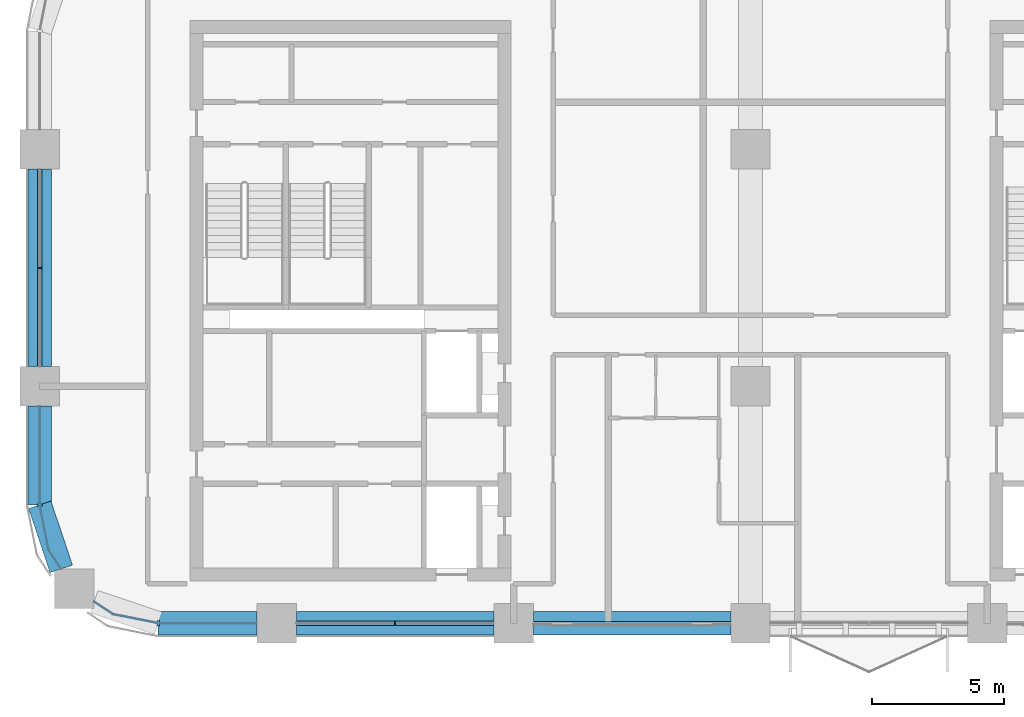
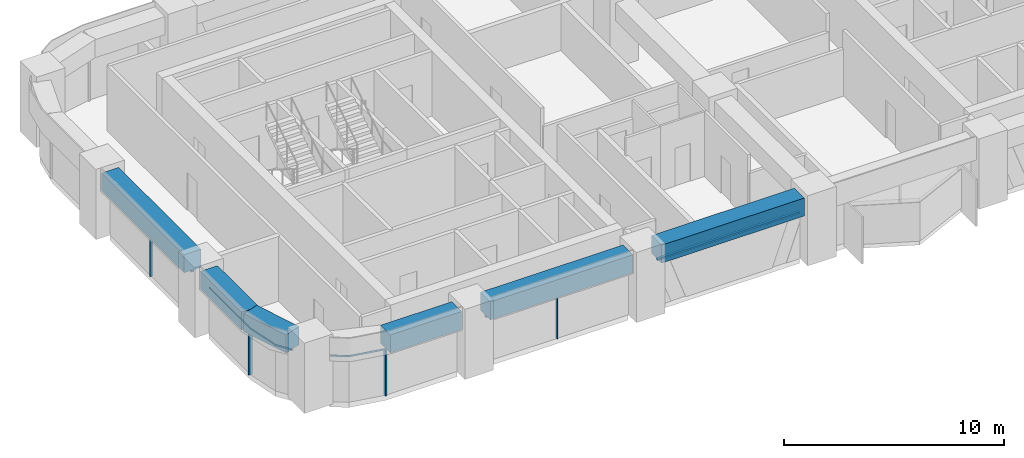
# One storey, part 2 of 14: 9 members, 6 beams, 5 elements without a shape of their own.
"""IFC4 building model written with IfcOpenShell, lengths in metres."""

from ifc_helpers import new_model, si_unit, direction, frame, origin, origin_2d, place, context, subcontext, project, spatial, polyline, rectangle, outline, extrude, material, material_profile, profile_set, type_object, element, aggregate, save


model = new_model("IFC4")

# Units and contexts
model_context = context("Model", 3, precision=1e-05, world=origin(), true_north=direction((0.0, 1.0)))
body_context = subcontext(model_context, "Body", "Model", "MODEL_VIEW")
ifc_project = project(units=[si_unit("LENGTHUNIT", "METRE"), si_unit("AREAUNIT", "SQUARE_METRE"), si_unit("VOLUMEUNIT", "CUBIC_METRE"), si_unit("PLANEANGLEUNIT", "RADIAN"), si_unit("MASSUNIT", "GRAM", prefix="KILO")], contexts=[model_context])

# Site, building, storey
site_placement = place(None, origin())
site = spatial("IfcSite", under=ifc_project, at=site_placement, CompositionType="ELEMENT")
building_placement = place(site_placement, origin())
building = spatial("IfcBuilding", under=site, at=building_placement, Name="Tessera Arch", CompositionType="ELEMENT")
storey_placement = place(building_placement, frame((0.0, 0.0, 146.60009765625)))
storey = spatial("IfcBuildingStorey", under=building, at=storey_placement, Name="L34", CompositionType="ELEMENT", Elevation=146.60009765625)

# Curtain wall, member
ifc_material_1 = material(Name="CW1 curtain wall")
curtain_wall_type_1 = type_object("IfcCurtainWallType", Name="CW1 curtain wall", PredefinedType="NOTDEFINED", material=ifc_material_1)
curtain_wall_1_placement = place(storey_placement, origin())
curtain_wall_1 = element("IfcCurtainWall", 1, at=curtain_wall_1_placement, inside=storey, type_object=curtain_wall_type_1, Name="CW1 curtain wall W0.27/1 L34", PredefinedType="NOTDEFINED")
ifc_material_2 = material(Name="Anodised aluminium pale metal", Category="aluminium")
ifc_material_profile_1 = material_profile(ifc_material_2, rectangle(XDim=0.159912109375, YDim=0.06005859375, at=origin_2d()), Name="AL 60x160")
ifc_profile_set_1 = profile_set([ifc_material_profile_1], Name="Anodised aluminium pale metal")
member_type_1 = type_object("IfcMemberType", Name="CW1 mullion", PredefinedType="MULLION", material=ifc_profile_set_1)
member_1_placement = place(storey_placement, frame((0.0, 40.5, 0.0), z_axis=(0.0, 0.0, 1.0), x_axis=(1.0, 0.0, 0.0)))
member_1 = element("IfcMember", 2, at=member_1_placement, type_object=member_type_1, Name="CW1 mullion W0.27/1 1", PredefinedType="MULLION", context=body_context, shape_type="SweptSolid", body=[
    extrude(rectangle(XDim=0.159912109375, YDim=0.06005859375, at=origin_2d()), origin(), (0.0, 0.0, 1.0), 2.5),
])

curtain_wall_2_placement = place(storey_placement, origin())
curtain_wall_2 = element("IfcCurtainWall", 3, at=curtain_wall_2_placement, inside=storey, type_object=curtain_wall_type_1, Name="CW1 curtain wall S27.0/1 L34", PredefinedType="NOTDEFINED")
member_2_placement = place(storey_placement, frame((13.5, 27.0, 0.0), z_axis=(0.0, 0.0, 1.0), x_axis=(0.0, 1.0, 0.0)))
member_2 = element("IfcMember", 4, at=member_2_placement, type_object=member_type_1, Name="CW1 mullion S27.0/1 1", PredefinedType="MULLION", context=body_context, shape_type="SweptSolid", body=[
    extrude(rectangle(XDim=0.159912109375, YDim=0.06005859375, at=origin_2d()), origin(), (0.0, 0.0, 1.0), 2.5),
])

# Member
ifc_material_3 = material(Name="Anodised aluminium pale metal", Category="aluminium")
ifc_material_profile_2 = material_profile(ifc_material_3, rectangle(XDim=0.159912109375, YDim=0.10009765625, at=origin_2d()), Name="AL 160x100")
ifc_profile_set_2 = profile_set([ifc_material_profile_2], Name="Anodised aluminium pale metal")
member_type_2 = type_object("IfcMemberType", Name="CW1 transom", PredefinedType="USERDEFINED", material=ifc_profile_set_2)
member_3_placement = place(storey_placement, frame((0.0, 44.25, 2.5498046875), z_axis=(0.0, -1.0, 0.0), x_axis=(1.0, 0.0, 0.0)))
member_3 = element("IfcMember", 5, at=member_3_placement, type_object=member_type_2, Name="CW1 transom W0.27/1 1.1", ObjectType="TRANSOM", PredefinedType="USERDEFINED", context=body_context, shape_type="SweptSolid", body=[
    extrude(rectangle(XDim=0.159912109375, YDim=0.10009765625, at=origin_2d()), origin(), (0.0, 0.0, 1.0), 7.5),
])

aggregate(curtain_wall_1, [member_1, member_3])

member_4_placement = place(storey_placement, frame((9.75, 27.0, 2.5498046875), z_axis=(1.0, 0.0, 0.0), x_axis=(0.0, 1.0, 0.0)))
member_4 = element("IfcMember", 6, at=member_4_placement, type_object=member_type_2, Name="CW1 transom S27.0/1 1.1", ObjectType="TRANSOM", PredefinedType="USERDEFINED", context=body_context, shape_type="SweptSolid", body=[
    extrude(rectangle(XDim=0.159912109375, YDim=0.10009765625, at=origin_2d()), origin(), (0.0, 0.0, 1.0), 7.5),
])

aggregate(curtain_wall_2, [member_2, member_4])

# Curtain wall, member
ifc_material_4 = material(Name="CW2 curtain wall")
curtain_wall_type_2 = type_object("IfcCurtainWallType", Name="CW2 curtain wall", PredefinedType="NOTDEFINED", material=ifc_material_4)
curtain_wall_3_placement = place(storey_placement, origin())
curtain_wall_3 = element("IfcCurtainWall", 7, at=curtain_wall_3_placement, inside=storey, type_object=curtain_wall_type_2, Name="CW2 curtain wall W0.27/2 L34", PredefinedType="NOTDEFINED")
ifc_material_5 = material(Name="Anodised aluminium pale metal", Category="aluminium")
ifc_material_profile_3 = material_profile(ifc_material_5, rectangle(XDim=0.199951171875, YDim=0.080078125, at=origin_2d()), Name="AL 80x200")
ifc_profile_set_3 = profile_set([ifc_material_profile_3], Name="Anodised aluminium pale metal")
member_type_3 = type_object("IfcMemberType", Name="CW2 mullion", PredefinedType="MULLION", material=ifc_profile_set_3)
member_5_placement = place(storey_placement, frame((0.0, 31.5, 0.0), z_axis=(0.0, 0.0, 1.0), x_axis=(1.0, 0.0, 0.0)))
member_5 = element("IfcMember", 8, at=member_5_placement, type_object=member_type_3, Name="CW2 mullion W0.27/2 1", PredefinedType="MULLION", context=body_context, shape_type="SweptSolid", body=[
    extrude(rectangle(XDim=0.199951171875, YDim=0.080078125, at=origin_2d()), origin(), (0.0, 0.0, 1.0), 2.5),
])

curtain_wall_4_placement = place(storey_placement, origin())
curtain_wall_4 = element("IfcCurtainWall", 9, at=curtain_wall_4_placement, inside=storey, type_object=curtain_wall_type_2, Name="CW2 curtain wall S27.0/0 L34", PredefinedType="NOTDEFINED")
member_6_placement = place(storey_placement, frame((4.5, 27.0, 0.0), z_axis=(0.0, 0.0, 1.0), x_axis=(0.0, 1.0, 0.0)))
member_6 = element("IfcMember", 10, at=member_6_placement, type_object=member_type_3, Name="CW2 mullion S27.0/0 1", PredefinedType="MULLION", context=body_context, shape_type="SweptSolid", body=[
    extrude(rectangle(XDim=0.199951171875, YDim=0.080078125, at=origin_2d()), origin(), (0.0, 0.0, 1.0), 2.5),
])

# Member
ifc_material_6 = material(Name="Anodised aluminium pale metal", Category="aluminium")
ifc_material_profile_4 = material_profile(ifc_material_6, rectangle(XDim=0.199951171875, YDim=0.10009765625, at=origin_2d()), Name="AL 200x100")
ifc_profile_set_4 = profile_set([ifc_material_profile_4], Name="Anodised aluminium pale metal")
member_type_4 = type_object("IfcMemberType", Name="CW2 transom", PredefinedType="USERDEFINED", material=ifc_profile_set_4)
member_7_placement = place(storey_placement, frame((0.0, 0.0, 2.5)))
member_7 = element("IfcMember", 11, at=member_7_placement, type_object=member_type_4, Name="CW2 transom W0.27/2 1", ObjectType="TRANSOM", PredefinedType="USERDEFINED", context=body_context, shape_type="SweptSolid", body=[
    extrude(outline(polyline([(0.010009765625, 31.5009765625), (0.010009765625, 35.25), (-0.010009765625, 35.25), (-0.010009765625, 31.4990234375), (0.3330078125, 29.77392578125), (0.80859375, 29.0625), (0.8251953125, 29.073486328125), (0.351806640625, 29.78173828125), (0.010009765625, 31.5009765625)])), origin(), (0.0, 0.0, 1.0), 0.099853515625),
])

aggregate(curtain_wall_3, [member_5, member_7])

member_8_placement = place(storey_placement, frame((0.0, 0.0, 2.5)))
member_8 = element("IfcMember", 12, at=member_8_placement, type_object=member_type_4, Name="CW2 transom S27.0/0 1", ObjectType="TRANSOM", PredefinedType="USERDEFINED", context=body_context, shape_type="SweptSolid", body=[
    extrude(outline(polyline([(2.78173828125, 27.351806640625), (2.073486328125, 27.8251953125), (2.0625, 27.80859375), (2.77392578125, 27.3330078125), (4.4990234375, 26.989990234375), (8.25, 26.989990234375), (8.25, 27.010009765625), (4.5009765625, 27.010009765625), (2.78173828125, 27.351806640625)])), origin(), (0.0, 0.0, 1.0), 0.099853515625),
])

aggregate(curtain_wall_4, [member_6, member_8])

# Curtain wall, member
ifc_material_7 = material(Name="CW3 curtain wall")
curtain_wall_type_3 = type_object("IfcCurtainWallType", Name="CW3 curtain wall", PredefinedType="NOTDEFINED", material=ifc_material_7)
curtain_wall_5_placement = place(storey_placement, origin())
curtain_wall_5 = element("IfcCurtainWall", 13, at=curtain_wall_5_placement, inside=storey, type_object=curtain_wall_type_3, Name="CW3 curtain wall S27.0/2 L34", PredefinedType="NOTDEFINED")
ifc_material_8 = material(Name="Anodised aluminium pale metal", Category="aluminium")
ifc_material_profile_5 = material_profile(ifc_material_8, rectangle(XDim=0.139892578125, YDim=0.10009765625, at=origin_2d()), Name="AL 140x100")
ifc_profile_set_5 = profile_set([ifc_material_profile_5], Name="Anodised aluminium pale metal")
member_type_5 = type_object("IfcMemberType", Name="CW3 transom", PredefinedType="USERDEFINED", material=ifc_profile_set_5)
member_9_placement = place(storey_placement, frame((18.75, 27.0, 2.5498046875), z_axis=(1.0, 0.0, 0.0), x_axis=(0.0, 1.0, 0.0)))
member_9 = element("IfcMember", 14, at=member_9_placement, type_object=member_type_5, Name="CW3 transom S27.0/2 1.1", ObjectType="TRANSOM", PredefinedType="USERDEFINED", context=body_context, shape_type="SweptSolid", body=[
    extrude(rectangle(XDim=0.139892578125, YDim=0.10009765625, at=origin_2d()), origin(), (0.0, 0.0, 1.0), 7.5),
])
aggregate(curtain_wall_5, [member_9])

# Beams
ifc_material_9 = material(Name="Concrete C70/85", Category="concrete")
ifc_material_profile_6 = material_profile(ifc_material_9, rectangle(XDim=0.89990234375, YDim=1.0, at=origin_2d()), Name="RC spandrel beam 900 x 1000 Concrete C70/85")
ifc_profile_set_6 = profile_set([ifc_material_profile_6], Name="Concrete C70/85")
beam_type = type_object("IfcBeamType", Name="RC spandrel beam 900 x 1000 Concrete C70/85", PredefinedType="BEAM", material=ifc_profile_set_6)
beam_1_placement = place(storey_placement, frame((0.0, 44.25, 3.099853515625), z_axis=(0.0, -1.0, 0.0), x_axis=(1.0, 0.0, 0.0)))
element("IfcBeam", 15, at=beam_1_placement, inside=storey, type_object=beam_type, Name="Spandrel beam L34 W0.27/1", PredefinedType="BEAM", context=body_context, shape_type="SweptSolid", body=[
    extrude(rectangle(XDim=0.89990234375, YDim=1.0, at=origin_2d()), origin(), (0.0, 0.0, 1.0), 7.5),
])
beam_2_placement = place(storey_placement, frame((0.0, 35.25, 3.099853515625), z_axis=(0.0, -1.0, 0.0), x_axis=(1.0, 0.0, 0.0)))
element("IfcBeam", 16, at=beam_2_placement, inside=storey, type_object=beam_type, Name="Spandrel beam L34 W0.27/2.1", PredefinedType="BEAM", context=body_context, shape_type="SweptSolid", body=[
    extrude(rectangle(XDim=0.89990234375, YDim=1.0, at=origin_2d()), origin(), (0.0, 0.0, 1.0), 3.75),
])
beam_3_placement = place(storey_placement, frame((0.0, 31.5, 3.099853515625), z_axis=(0.31842525032, -0.947947973234, 0.0), x_axis=(0.947947973234, 0.31842525032, 0.0)))
element("IfcBeam", 17, at=beam_3_placement, inside=storey, type_object=beam_type, Name="Spandrel beam L34 W0.27/2.2", PredefinedType="BEAM", context=body_context, shape_type="SweptSolid", body=[
    extrude(rectangle(XDim=0.89990234375, YDim=1.0, at=origin_2d()), origin(), (0.0, 0.0, 1.0), 2.5654296875),
])
beam_4_placement = place(storey_placement, frame((4.5, 27.0, 3.099853515625), z_axis=(1.0, 0.0, 0.0), x_axis=(0.0, 1.0, 0.0)))
element("IfcBeam", 18, at=beam_4_placement, inside=storey, type_object=beam_type, Name="Spandrel beam L34 S27.0/0.2", PredefinedType="BEAM", context=body_context, shape_type="SweptSolid", body=[
    extrude(rectangle(XDim=0.89990234375, YDim=1.0, at=origin_2d()), origin(), (0.0, 0.0, 1.0), 3.75),
])
for number, where, z_axis, x_axis, name in (
    (19, (9.75, 27.0, 3.099853515625), (1.0, 0.0, 0.0), (0.0, 1.0, 0.0), "Spandrel beam L34 S27.0/1"),
    (20, (18.75, 27.0, 3.099853515625), (1.0, 0.0, 0.0), (0.0, 1.0, 0.0), "Spandrel beam L34 S27.0/2"),
):
    element("IfcBeam", number, at=place(storey_placement, frame(where, z_axis=z_axis, x_axis=x_axis)), inside=storey, type_object=beam_type, Name=name, PredefinedType="BEAM", context=body_context, shape_type="SweptSolid", body=[
        extrude(rectangle(XDim=0.89990234375, YDim=1.0, at=origin_2d()), origin(), (0.0, 0.0, 1.0), 7.5),
    ])

save(model, "model.ifc")
